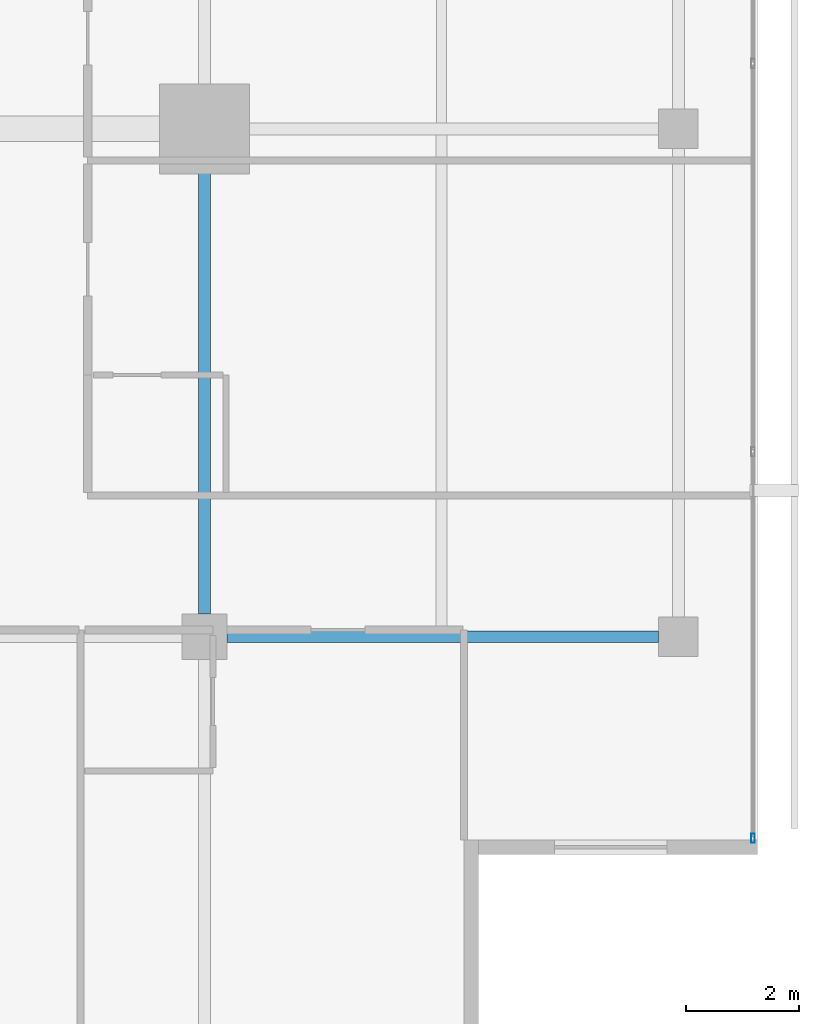
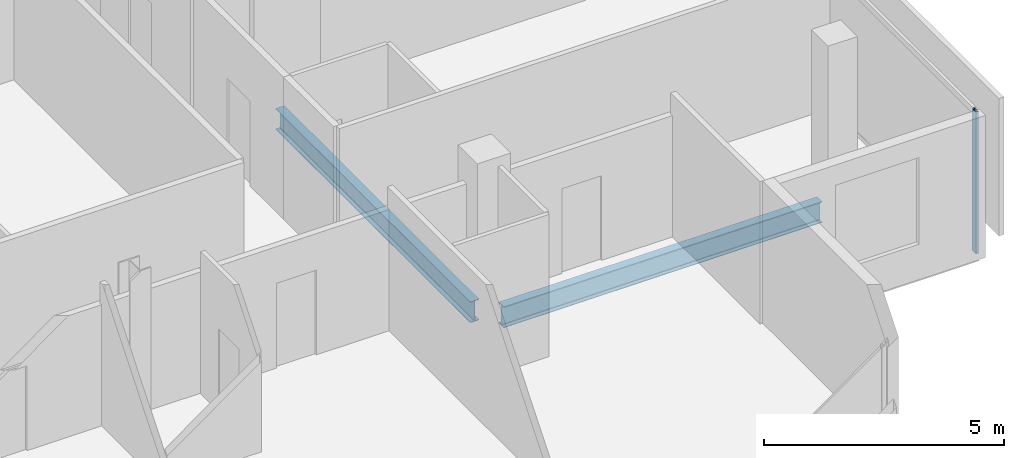
# One storey, part 11 of 25: 2 beams, 1 member, 1 element without a shape of its own.
"""IFC4 building model written with IfcOpenShell, lengths in metres."""

from ifc_helpers import new_model, si_unit, direction, frame, origin, origin_2d, place, context, subcontext, project, spatial, hollow_rectangle, i_section, extrude, material, layer, layer_set, material_profile, profile_set, type_object, element, aggregate, save


model = new_model("IFC4")

# Units and contexts
model_context = context("Model", 3, precision=1e-05, world=origin(), true_north=direction((0.0, 1.0)))
body_context = subcontext(model_context, "Body", "Model", "MODEL_VIEW")
ifc_project = project(units=[si_unit("LENGTHUNIT", "METRE"), si_unit("AREAUNIT", "SQUARE_METRE"), si_unit("VOLUMEUNIT", "CUBIC_METRE"), si_unit("PLANEANGLEUNIT", "RADIAN"), si_unit("MASSUNIT", "GRAM", prefix="KILO")], contexts=[model_context])

# Site, building, storey
site_placement = place(None, origin())
site = spatial("IfcSite", under=ifc_project, at=site_placement, CompositionType="ELEMENT")
building_placement = place(site_placement, origin())
building = spatial("IfcBuilding", under=site, at=building_placement, Name="Maruvema Waterfront Hotel and Observation Tower", CompositionType="ELEMENT")
storey_placement = place(building_placement, frame((0.0, 0.0, 262.5)))
storey = spatial("IfcBuildingStorey", under=building, at=storey_placement, Name="L64", CompositionType="ELEMENT", Elevation=262.5)

# Curtain wall, member
ifc_material_1 = material(Name="Anodised bronze aluminium and solar-control low-E IGU", Category="aluminium")
ifc_layer = layer(ifc_material_1, 0.159912109375, Name="Zone 3 Champagne Inner Thermal Curtain Wall System CW-04")
ifc_layer_set = layer_set([ifc_layer], Name="Anodised bronze aluminium and solar-control low-E IGU")
curtain_wall_type = type_object("IfcCurtainWallType", Name="Zone 3 Champagne Inner Thermal Curtain Wall System CW-04", PredefinedType="USERDEFINED", material=ifc_layer_set)
curtain_wall_placement = place(storey_placement, origin())
curtain_wall = element("IfcCurtainWall", 1, at=curtain_wall_placement, inside=storey, type_object=curtain_wall_type, Name="L64 Curtain Wall CW-L64-E", ObjectType="UNITISED CURTAIN WALL", PredefinedType="USERDEFINED")
ifc_material_2 = material(Name="Anodised architectural bronze aluminium", Category="aluminium")
ifc_material_profile_1 = material_profile(ifc_material_2, hollow_rectangle(XDim=0.06494140625, YDim=0.1650390625, WallThickness=0.00390625, at=origin_2d()), Name="ALU-M65x165")
ifc_profile_set_1 = profile_set([ifc_material_profile_1], Name="Anodised architectural bronze aluminium")
member_type = type_object("IfcMemberType", Name="Curtain Wall Primary Mullion ALU-M65x165", PredefinedType="MULLION", material=ifc_profile_set_1)
member_placement = place(storey_placement, frame((60.1201171875, 14.429931640625, 0.0), z_axis=(0.0, 0.0, 1.0), x_axis=(-1.0, 0.0, 0.0)))
member = element("IfcMember", 2, at=member_placement, type_object=member_type, Name="CW-04 mullion 1", PredefinedType="MULLION", context=body_context, shape_type="SweptSolid", body=[
    extrude(hollow_rectangle(XDim=0.06494140625, YDim=0.1650390625, WallThickness=0.00390625, at=origin_2d()), origin(), (0.0, 0.0, 1.0), 3.610107421875),
])
aggregate(curtain_wall, [member])

# Beams
ifc_material_3 = material(Name="Steel ASTM A572 Grade 50", Category="steel")
ifc_material_profile_2 = material_profile(ifc_material_3, i_section(OverallWidth=0.208984375, OverallDepth=0.532958984375, WebThickness=0.01025390625, FlangeThickness=0.015625, FilletRadius=0.014892578125, at=origin_2d()), Name="W530x92.0")
ifc_profile_set_2 = profile_set([ifc_material_profile_2], Name="Steel ASTM A572 Grade 50")
beam_type = type_object("IfcBeamType", Name="Primary Floor Girder W530x92.0", PredefinedType="BEAM", material=ifc_profile_set_2)
beam_1_placement = place(storey_placement, frame((50.800048828125, 18.0, -0.506591796875), z_axis=(1.0, 0.0, 0.0), x_axis=(0.0, 1.0, 0.0)))
element("IfcBeam", 3, at=beam_1_placement, inside=storey, type_object=beam_type, Name="L64 Floor Girder EW-08", PredefinedType="BEAM", context=body_context, shape_type="SweptSolid", body=[
    extrude(i_section(OverallWidth=0.208984375, OverallDepth=0.532958984375, WebThickness=0.01025390625, FlangeThickness=0.015625, FilletRadius=0.014892578125, at=origin_2d()), origin(), (0.0, 0.0, 1.0), 7.64990234375),
])
beam_2_placement = place(storey_placement, frame((50.39990234375, 18.39990234375, -0.506591796875), z_axis=(0.0, 1.0, 0.0), x_axis=(-1.0, 0.0, 0.0)))
element("IfcBeam", 4, at=beam_2_placement, inside=storey, type_object=beam_type, Name="L64 Floor Girder NS-13", PredefinedType="BEAM", context=body_context, shape_type="SweptSolid", body=[
    extrude(i_section(OverallWidth=0.208984375, OverallDepth=0.532958984375, WebThickness=0.01025390625, FlangeThickness=0.015625, FilletRadius=0.014892578125, at=origin_2d()), origin(), (0.0, 0.0, 1.0), 8.10009765625),
])

save(model, "model.ifc")
